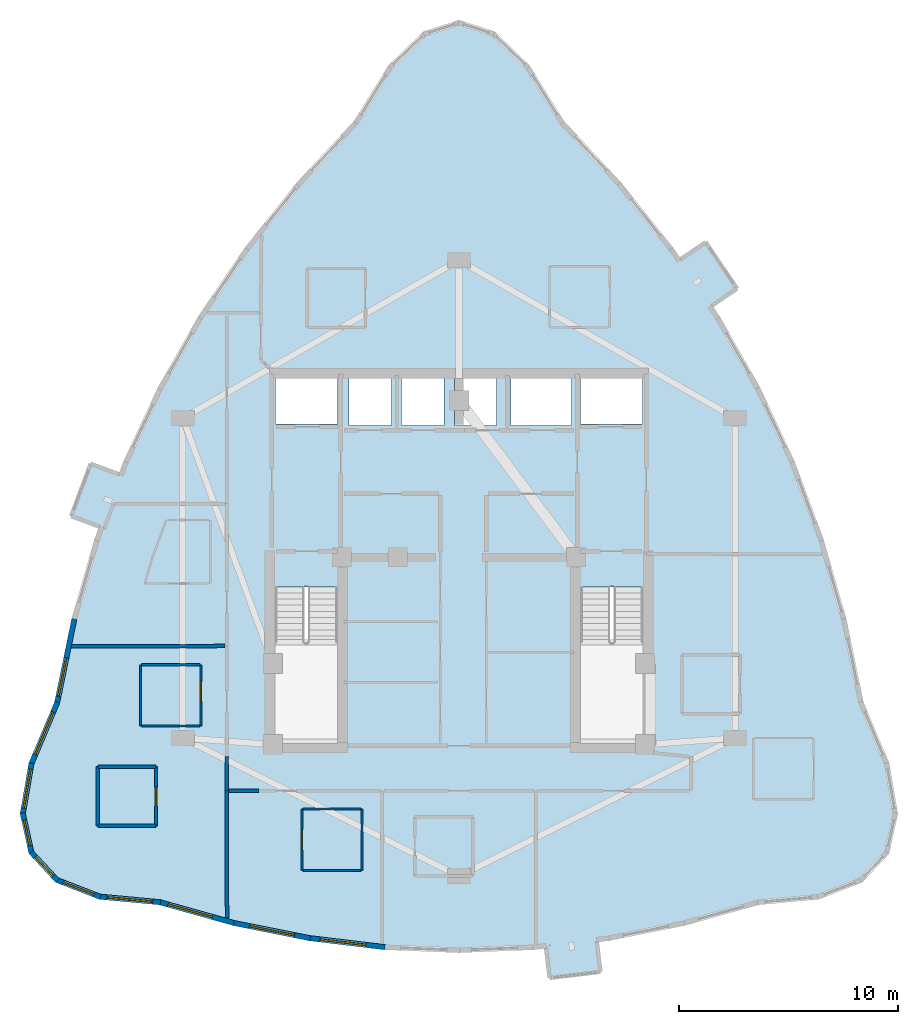
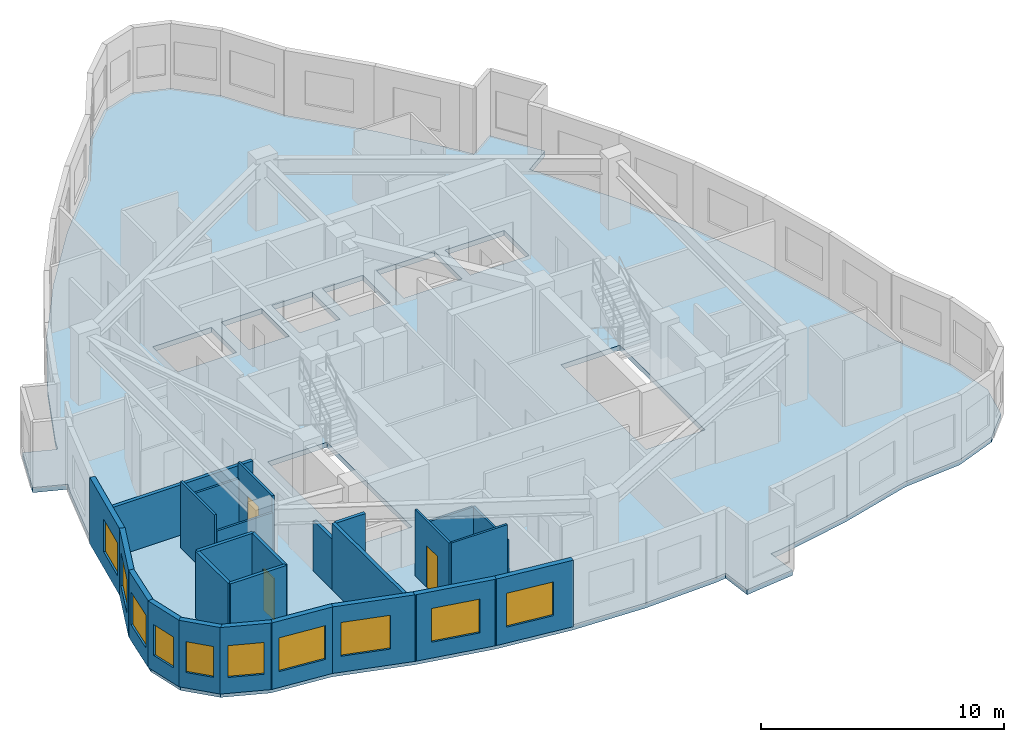
# One storey, part 3 of 9: 26 walls, 10 windows, 3 doors, 1 slab, 13 openings.
"""IFC4 building model written with IfcOpenShell, lengths in metres."""

import ifcopenshell
import ifcopenshell.guid

model = None  # the IFC model being written
_history = None  # IfcOwnerHistory: only IFC2X3 demands one
_inside = {}  # id of a spatial element -> (the spatial element, [elements in it])
_under = {}  # id of a project, library or spatial element -> (it, [spatial elements below it])
_declared = {}  # id of a project -> (the project, [libraries it declares])
_typed = {}  # id of a type object -> (the type object, [elements of that type])
_made_of = {}  # id of a material, layer set ... -> (it, [elements and type objects made of it])


def new_model(schema):
    """Start an empty IFC model of exactly this schema.

    Asked for "IFC4X3", IfcOpenShell would pick the latest addendum, in which some entities
    have other attributes; the version numbers below select the first issue.
    IFC2X3 requires an IfcOwnerHistory on every rooted entity: one is made here for all.
    """
    global model, _history
    if schema == "IFC4X3":
        model = ifcopenshell.file(schema_version=(4, 3, 0, 0))
    else:
        model = ifcopenshell.file(schema=schema)
    _inside.clear()
    _under.clear()
    _declared.clear()
    _typed.clear()
    _made_of.clear()
    _history = None
    if model.schema == "IFC2X3":
        org = make("IfcOrganization", Name="unknown")
        user = make(
            "IfcPersonAndOrganization",
            ThePerson=make("IfcPerson", FamilyName="unknown"),
            TheOrganization=org,
        )
        app = make(
            "IfcApplication",
            ApplicationDeveloper=org,
            Version="unknown",
            ApplicationFullName="unknown",
            ApplicationIdentifier="unknown",
        )
        _history = make(
            "IfcOwnerHistory",
            OwningUser=user,
            OwningApplication=app,
            ChangeAction="ADDED",
            CreationDate=0,
        )
    return model


def make(cls, **values):
    """One entity of the class cls with the attributes given. An attribute that is None is left unset."""
    return model.create_entity(
        cls, **{name: value for name, value in values.items() if value is not None}
    )


def rooted(cls, **values):
    """An entity with a GlobalId (a new one), such as an element, a storey or a relation."""
    return make(cls, GlobalId=ifcopenshell.guid.new(), OwnerHistory=_history, **values)


def si_unit(unit_type, name, prefix=None):
    """IfcSIUnit, for example si_unit("LENGTHUNIT", "METRE", prefix="MILLI")."""
    return make("IfcSIUnit", UnitType=unit_type, Prefix=prefix, Name=name)


def assignment(units):
    """IfcUnitAssignment: the units of a project."""
    return None if units is None else make("IfcUnitAssignment", Units=units)


def point(xyz):
    """IfcCartesianPoint."""
    return None if xyz is None else make("IfcCartesianPoint", Coordinates=xyz)


def direction(xyz):
    """IfcDirection."""
    return None if xyz is None else make("IfcDirection", DirectionRatios=xyz)


def frame(location, z_axis=None, x_axis=None):
    """IfcAxis2Placement3D, a coordinate frame: its origin and axes. An axis left out is left unset."""
    return make(
        "IfcAxis2Placement3D",
        Location=point(location),
        Axis=direction(z_axis),
        RefDirection=direction(x_axis),
    )


def frame_2d(location, x_axis=None):
    """IfcAxis2Placement2D, a coordinate frame in the plane: its origin and x axis."""
    return make(
        "IfcAxis2Placement2D", Location=point(location), RefDirection=direction(x_axis)
    )


def origin():
    """The frame at (0, 0, 0) with its axes left unset."""
    return frame((0.0, 0.0, 0.0))


def place(relative_to, where):
    """IfcLocalPlacement: puts the frame where relative to a parent placement (None: the world)."""
    return make(
        "IfcLocalPlacement", PlacementRelTo=relative_to, RelativePlacement=where
    )


def context(
    kind, dimensions, precision=None, world=None, true_north=None, identifier=None
):
    """IfcGeometricRepresentationContext, for example the 3D "Model" context."""
    return make(
        "IfcGeometricRepresentationContext",
        ContextIdentifier=identifier,
        ContextType=kind,
        CoordinateSpaceDimension=dimensions,
        Precision=precision,
        WorldCoordinateSystem=world,
        TrueNorth=true_north,
    )


def subcontext(parent, identifier, kind, view, scale=None):
    """IfcGeometricRepresentationSubContext, for example "Body" below "Model"."""
    return make(
        "IfcGeometricRepresentationSubContext",
        ContextIdentifier=identifier,
        ContextType=kind,
        ParentContext=parent,
        TargetScale=scale,
        TargetView=view,
    )


def project(units=None, contexts=None):
    """IfcProject with its units and contexts."""
    return rooted(
        "IfcProject",
        Name="project",
        RepresentationContexts=contexts,
        UnitsInContext=assignment(units),
    )


def spatial(cls, under=None, at=None, **own):
    """A site, building, storey or space (cls), placed at a placement, below another one or the project."""
    s = rooted(cls, ObjectPlacement=at, **own)
    if under is not None:
        _under.setdefault(under.id(), (under, []))[1].append(s)
    return s


def polyline(points):
    """IfcPolyline through the points."""
    return make("IfcPolyline", Points=[point(p) for p in points])


def profile(cls, at=None, kind="AREA", **sizes):
    """A parametric profile (cls). Its sizes go by their IFC names, for example OverallWidth=200.0."""
    return make(cls, ProfileType=kind, Position=at, **sizes)


def rectangle(**sizes):
    """IfcRectangleProfileDef."""
    return profile("IfcRectangleProfileDef", **sizes)


def outline(outer, holes=None, kind="AREA"):
    """IfcArbitraryClosedProfileDef: a profile drawn as a closed curve; with holes, ...WithVoids."""
    if holes is None:
        return make("IfcArbitraryClosedProfileDef", ProfileType=kind, OuterCurve=outer)
    return make(
        "IfcArbitraryProfileDefWithVoids",
        ProfileType=kind,
        OuterCurve=outer,
        InnerCurves=holes,
    )


def extrude(swept, where, along, depth):
    """IfcExtrudedAreaSolid: the profile swept, set in the frame where, extruded along a direction by depth."""
    return make(
        "IfcExtrudedAreaSolid",
        SweptArea=swept,
        Position=where,
        ExtrudedDirection=direction(along),
        Depth=depth,
    )


def shape(context_of_items, identifier, shape_type, items):
    """IfcShapeRepresentation: the items that make up one representation, for example the "Body"."""
    return make(
        "IfcShapeRepresentation",
        ContextOfItems=context_of_items,
        RepresentationIdentifier=identifier,
        RepresentationType=shape_type,
        Items=items,
    )


def material(Name=None, Category=None):
    """IfcMaterial."""
    return make("IfcMaterial", Name=Name, Category=Category)


def layer(
    of_material, thickness, ventilated=None, Name=None, Category=None, Priority=None
):
    """IfcMaterialLayer: one layer of a wall or slab, of a material (None: an air gap)."""
    return make(
        "IfcMaterialLayer",
        Material=of_material,
        LayerThickness=thickness,
        IsVentilated=ventilated,
        Name=Name,
        Category=Category,
        Priority=Priority,
    )


def layer_set(layers, Name=None):
    """IfcMaterialLayerSet."""
    return make("IfcMaterialLayerSet", MaterialLayers=layers, LayerSetName=Name)


def made_of(thing, what):
    """Note that an element or type object is made of a material, layer set ...; save() writes the relation."""
    if what is not None:
        _made_of.setdefault(what.id(), (what, []))[1].append(thing)
    return thing


def type_object(cls, material=None, **own):
    """A type object (cls), such as IfcWallType, which elements share."""
    return made_of(rooted(cls, **own), material)


def element(
    cls,
    number,
    at=None,
    inside=None,
    cuts=None,
    type_object=None,
    material=None,
    context=None,
    identifier="Body",
    shape_type=None,
    held_by="IfcProductDefinitionShape",
    body=None,
    shapes=None,
    **own,
):
    """One element of the class cls, such as IfcWall. Its Tag is "e" and its number.

    at: its placement. inside: the storey or other place that contains it. cuts: it is an
    opening in that element (IfcRelVoidsElement). A single representation is given by context,
    identifier, shape_type and body (its items); several are given by shapes. held_by: the class
    of the entity that holds the representations. save() writes the other relations.
    """
    e = rooted(cls, Tag="e%d" % number, ObjectPlacement=at, **own)
    if body is not None:
        shapes = [shape(context, identifier, shape_type, body)]
    if shapes is not None:
        e.Representation = make(held_by, Representations=shapes)
    if inside is not None:
        _inside.setdefault(inside.id(), (inside, []))[1].append(e)
    if cuts is not None:
        rooted(
            "IfcRelVoidsElement", RelatingBuildingElement=cuts, RelatedOpeningElement=e
        )
    if type_object is not None:
        _typed.setdefault(type_object.id(), (type_object, []))[1].append(e)
    return made_of(e, material)


def fill(opening, filler):
    """IfcRelFillsElement: the door or window that sits in an opening."""
    return rooted(
        "IfcRelFillsElement",
        RelatingOpeningElement=opening,
        RelatedBuildingElement=filler,
    )


def aggregate(whole, parts):
    """IfcRelAggregates: a whole, such as a stair, and the parts it consists of."""
    return rooted("IfcRelAggregates", RelatingObject=whole, RelatedObjects=parts)


def save(model, path):
    """Write the relations noted so far, then the file.

    IfcRelAggregates (storeys below a building ...), IfcRelContainedInSpatialStructure (elements
    in a storey), IfcRelDefinesByType, IfcRelAssociatesMaterial and IfcRelDeclares: one each for
    every whole, place, type object, material and project.
    """
    for whole, parts in _under.values():
        aggregate(whole, parts)
    for where, things in _inside.values():
        rooted(
            "IfcRelContainedInSpatialStructure",
            RelatedElements=things,
            RelatingStructure=where,
        )
    for kind, things in _typed.values():
        rooted("IfcRelDefinesByType", RelatedObjects=things, RelatingType=kind)
    for what, things in _made_of.values():
        rooted("IfcRelAssociatesMaterial", RelatedObjects=things, RelatingMaterial=what)
    for by, libraries in _declared.values():
        rooted("IfcRelDeclares", RelatingContext=by, RelatedDefinitions=libraries)
    model.write(path)


model = new_model("IFC4")

# Units and contexts
model_context = context("Model", 3, precision=1e-05, world=origin(), true_north=direction((0.0, 1.0)))
body_context = subcontext(model_context, "Body", "Model", "MODEL_VIEW")
ifc_project = project(units=[si_unit("LENGTHUNIT", "METRE"), si_unit("AREAUNIT", "SQUARE_METRE"), si_unit("VOLUMEUNIT", "CUBIC_METRE"), si_unit("PLANEANGLEUNIT", "RADIAN"), si_unit("MASSUNIT", "GRAM", prefix="KILO")], contexts=[model_context])

# Site, building, storey
site_placement = place(None, origin())
site = spatial("IfcSite", under=ifc_project, at=site_placement, CompositionType="ELEMENT")
building_placement = place(site_placement, origin())
building = spatial("IfcBuilding", under=site, at=building_placement, Name="Miruveldt Soraemaru", CompositionType="ELEMENT")
storey_placement = place(building_placement, frame((0.0, 0.0, 241.199951171875)))
storey = spatial("IfcBuildingStorey", under=building, at=storey_placement, Name="L66", CompositionType="ELEMENT", Elevation=241.199951171875)

# Slab
ifc_material_1 = material(Name="Concrete C40/50 (40 MPa)", Category="concrete")
ifc_layer_1 = layer(ifc_material_1, 0.2548828125, Name="Concrete C40/50 (40 MPa)", Category="concrete")
ifc_layer_set_1 = layer_set([ifc_layer_1], Name="Concrete C40/50 (40 MPa)")
slab_type = type_object("IfcSlabType", Name="SLAB-RES3-255", PredefinedType="FLOOR", material=ifc_layer_set_1)
slab_placement = place(storey_placement, frame((0.0, 0.0, -0.2548828125)))
element("IfcSlab", 1, at=slab_placement, inside=storey, type_object=slab_type, Name="L66 Structural Floor Slab", PredefinedType="FLOOR", context=body_context, shape_type="SweptSolid", body=[
    extrude(outline(polyline([(48.13525390625, 24.852294921875), (47.958984375, 26.32177734375), (49.119140625, 26.461181640625), (47.412841796875, 26.25634765625), (44.0, 26.119873046875), (40.587158203125, 26.25634765625), (37.17431640625, 26.665771484375), (33.761474609375, 27.348388671875), (30.3486328125, 28.303955078125), (27.611328125, 28.556884765625), (25.65625, 29.3154296875), (24.483154296875, 30.57958984375), (24.092041015625, 32.349853515625), (24.483154296875, 34.62548828125), (25.65625, 37.406982421875), (26.435791015625, 41.195068359375), (27.47998046875, 44.8466796875), (27.689453125, 45.40869140625), (26.302490234375, 45.92529296875), (27.193115234375, 48.31591796875), (28.579833984375, 47.79931640625), (28.134765625, 46.60400390625), (28.789306640625, 48.361572265625), (30.36328125, 51.739990234375), (32.2021484375, 54.982177734375), (34.305908203125, 58.087646484375), (36.67431640625, 61.056640625), (39.3076171875, 63.88916015625), (40.87158203125, 66.417724609375), (42.435791015625, 67.934814453125), (44.0, 68.4404296875), (45.564208984375, 67.934814453125), (47.12841796875, 66.417724609375), (48.6923828125, 63.88916015625), (51.32568359375, 61.056640625), (53.694091796875, 58.087646484375), (54.74609375, 56.534912109375), (54.03076171875, 57.5908203125), (55.256103515625, 58.4208984375), (56.686767578125, 56.308837890625), (55.46142578125, 55.478759765625), (55.7978515625, 54.982177734375), (57.63671875, 51.739990234375), (59.210693359375, 48.361572265625), (60.52001953125, 44.8466796875), (61.564208984375, 41.195068359375), (62.34375, 37.406982421875), (63.516845703125, 34.62548828125), (63.907958984375, 32.349853515625), (63.516845703125, 30.57958984375), (62.34375, 29.3154296875), (60.388671875, 28.556884765625), (57.6513671875, 28.303955078125), (54.238525390625, 27.348388671875), (50.82568359375, 26.665771484375), (50.279296875, 26.600341796875), (50.455810546875, 25.130859375), (48.13525390625, 24.852294921875)]), holes=[polyline([(35.614990234375, 35.6650390625), (38.43505859375, 35.6650390625), (38.43505859375, 42.68505859375), (35.614990234375, 42.68505859375), (35.614990234375, 35.6650390625)]), polyline([(49.56494140625, 35.6650390625), (52.385009765625, 35.6650390625), (52.385009765625, 42.68505859375), (49.56494140625, 42.68505859375), (49.56494140625, 35.6650390625)]), polyline([(38.445068359375, 50.135009765625), (38.445068359375, 52.205078125), (35.635009765625, 52.205078125), (35.635009765625, 50.135009765625), (38.445068359375, 50.135009765625)]), polyline([(52.364990234375, 50.135009765625), (52.364990234375, 52.205078125), (49.554931640625, 52.205078125), (49.554931640625, 50.135009765625), (52.364990234375, 50.135009765625)]), polyline([(40.9150390625, 50.06494140625), (40.9150390625, 52.3349609375), (38.985107421875, 52.3349609375), (38.985107421875, 50.06494140625), (40.9150390625, 50.06494140625)]), polyline([(43.31494140625, 50.06494140625), (43.31494140625, 52.3349609375), (41.385009765625, 52.3349609375), (41.385009765625, 50.06494140625), (43.31494140625, 50.06494140625)]), polyline([(45.715087890625, 50.06494140625), (45.715087890625, 52.3349609375), (43.784912109375, 52.3349609375), (43.784912109375, 50.06494140625), (45.715087890625, 50.06494140625)]), polyline([(49.135009765625, 50.06494140625), (49.135009765625, 52.3349609375), (46.364990234375, 52.3349609375), (46.364990234375, 50.06494140625), (49.135009765625, 50.06494140625)])]), origin(), (0.0, 0.0, 1.0), 0.2548828125),
])

# Wall, opening, window
ifc_material_2 = material(Name="Precast concrete C45/55 (45 MPa)", Category="concrete")
ifc_layer_2 = layer(ifc_material_2, 0.239990234375, Name="Precast concrete C45/55 (45 MPa)", Category="concrete")
ifc_layer_set_2 = layer_set([ifc_layer_2], Name="Precast concrete C45/55 (45 MPa)")
wall_type_1 = type_object("IfcWallType", Name="WALL-EXT-PC240", PredefinedType="SOLIDWALL", material=ifc_layer_set_2)
wall_1_placement = place(storey_placement, frame((26.44287109375, 41.229248046875, 0.0), z_axis=(0.0, 0.0, 1.0), x_axis=(-0.201574193265, -0.979473248542, 0.0)))
wall_1 = element("IfcWall", 2, at=wall_1_placement, inside=storey, type_object=wall_type_1, Name="L66 Precast Concrete Facade Wall 14", PredefinedType="SOLIDWALL", context=body_context, shape_type="SweptSolid", body=[
    extrude(rectangle(XDim=3.9375, YDim=0.239990234375, at=frame_2d((1.96875, 0.0))), origin(), (0.0, 0.0, 1.0), 3.344970703125),
])
opening_1_placement = place(wall_1_placement, frame((1.80810546875, 0.0, 0.800048828125)))
opening_1 = element("IfcOpeningElement", 3, at=opening_1_placement, cuts=wall_1, Name="Opening WN-2", PredefinedType="OPENING", context=body_context, shape_type="SweptSolid", body=[
    extrude(rectangle(XDim=1.800048828125, YDim=1.64990234375, at=frame_2d((0.89990234375, 0.824951171875))), frame((0.0, 0.1298828125, 0.0), z_axis=(0.0, -1.0, 0.0), x_axis=(1.0, 0.0, 0.0)), (0.0, 0.0, 1.0), 0.260009765625),
])
ifc_material_3 = material(Name="Triple low-e insulated glazing", Category="glass")
window_type_1 = type_object("IfcWindowType", Name="WIN-PUNCH-1800x1650", PartitioningType="SINGLE_PANEL", PredefinedType="WINDOW", material=ifc_material_3)
window_1_placement = place(opening_1_placement, origin())
window_1 = element("IfcWindow", 4, at=window_1_placement, inside=storey, type_object=window_type_1, Name="L66 Punched Triple-Glazed Window 14.1", OverallHeight=1.64990234375, OverallWidth=1.800048828125, PartitioningType="SINGLE_PANEL", PredefinedType="WINDOW", context=body_context, shape_type="SweptSolid", body=[
    extrude(rectangle(XDim=1.800048828125, YDim=1.64990234375, at=frame_2d((0.89990234375, 0.824951171875))), frame((0.0, 0.030029296875, 0.0), z_axis=(0.0, -1.0, 0.0), x_axis=(1.0, 0.0, 0.0)), (0.0, 0.0, 1.0), 0.06005859375),
])
fill(opening_1, window_1)

wall_2_placement = place(storey_placement, frame((25.669921875, 37.439208984375, 0.0), z_axis=(0.0, 0.0, 1.0), x_axis=(-0.388647035021, -0.921386716949, 0.0)))
wall_2 = element("IfcWall", 5, at=wall_2_placement, inside=storey, type_object=wall_type_1, Name="L66 Precast Concrete Facade Wall 15", PredefinedType="SOLIDWALL", context=body_context, shape_type="SweptSolid", body=[
    extrude(rectangle(XDim=3.0888671875, YDim=0.239990234375, at=frame_2d((1.54443359375, 0.0))), origin(), (0.0, 0.0, 1.0), 3.344970703125),
])
opening_2_placement = place(wall_2_placement, frame((0.493896484375, 0.0, 0.800048828125)))
opening_2 = element("IfcOpeningElement", 6, at=opening_2_placement, cuts=wall_2, Name="Opening WN-1", PredefinedType="OPENING", context=body_context, shape_type="SweptSolid", body=[
    extrude(rectangle(XDim=2.10009765625, YDim=1.699951171875, at=frame_2d((1.050048828125, 0.85009765625))), frame((0.0, 0.1298828125, 0.0), z_axis=(0.0, -1.0, 0.0), x_axis=(1.0, 0.0, 0.0)), (0.0, 0.0, 1.0), 0.260009765625),
])
window_type_2 = type_object("IfcWindowType", Name="WIN-PUNCH-2100x1700", PartitioningType="SINGLE_PANEL", PredefinedType="WINDOW", material=ifc_material_3)
window_2_placement = place(opening_2_placement, origin())
window_2 = element("IfcWindow", 7, at=window_2_placement, inside=storey, type_object=window_type_2, Name="L66 Punched Triple-Glazed Window 15.1", OverallHeight=1.699951171875, OverallWidth=2.10009765625, PartitioningType="SINGLE_PANEL", PredefinedType="WINDOW", context=body_context, shape_type="SweptSolid", body=[
    extrude(rectangle(XDim=2.10009765625, YDim=1.699951171875, at=frame_2d((1.050048828125, 0.85009765625))), frame((0.0, 0.030029296875, 0.0), z_axis=(0.0, -1.0, 0.0), x_axis=(1.0, 0.0, 0.0)), (0.0, 0.0, 1.0), 0.06005859375),
])
fill(opening_2, window_2)

wall_3_placement = place(storey_placement, frame((24.489013671875, 34.659912109375, 0.0), z_axis=(0.0, 0.0, 1.0), x_axis=(-0.16932268842, -0.985560666416, 0.0)))
wall_3 = element("IfcWall", 8, at=wall_3_placement, inside=storey, type_object=wall_type_1, Name="L66 Precast Concrete Facade Wall 16", PredefinedType="SOLIDWALL", context=body_context, shape_type="SweptSolid", body=[
    extrude(rectangle(XDim=2.379150390625, YDim=0.239990234375, at=frame_2d((1.189453125, 0.0))), origin(), (0.0, 0.0, 1.0), 3.344970703125),
])
opening_3_placement = place(wall_3_placement, frame((0.2890625, 0.0, 0.800048828125)))
opening_3 = element("IfcOpeningElement", 9, at=opening_3_placement, cuts=wall_3, Name="Opening WN-2", PredefinedType="OPENING", context=body_context, shape_type="SweptSolid", body=[
    extrude(rectangle(XDim=1.800048828125, YDim=1.64990234375, at=frame_2d((0.89990234375, 0.824951171875))), frame((0.0, 0.1298828125, 0.0), z_axis=(0.0, -1.0, 0.0), x_axis=(1.0, 0.0, 0.0)), (0.0, 0.0, 1.0), 0.260009765625),
])
window_3_placement = place(opening_3_placement, origin())
window_3 = element("IfcWindow", 10, at=window_3_placement, inside=storey, type_object=window_type_1, Name="L66 Punched Triple-Glazed Window 16.1", OverallHeight=1.64990234375, OverallWidth=1.800048828125, PartitioningType="SINGLE_PANEL", PredefinedType="WINDOW", context=body_context, shape_type="SweptSolid", body=[
    extrude(rectangle(XDim=1.800048828125, YDim=1.64990234375, at=frame_2d((0.89990234375, 0.824951171875))), frame((0.0, 0.030029296875, 0.0), z_axis=(0.0, -1.0, 0.0), x_axis=(1.0, 0.0, 0.0)), (0.0, 0.0, 1.0), 0.06005859375),
])
fill(opening_3, window_3)

wall_4_placement = place(storey_placement, frame((24.084716796875, 32.384033203125, 0.0), z_axis=(0.0, 0.0, 1.0), x_axis=(0.215502390858, -0.976503312608, 0.0)))
wall_4 = element("IfcWall", 11, at=wall_4_placement, inside=storey, type_object=wall_type_1, Name="L66 Precast Concrete Facade Wall 17", PredefinedType="SOLIDWALL", context=body_context, shape_type="SweptSolid", body=[
    extrude(rectangle(XDim=1.8828125, YDim=0.239990234375, at=frame_2d((0.94140625, 0.0))), origin(), (0.0, 0.0, 1.0), 3.344970703125),
])
opening_4_placement = place(wall_4_placement, frame((0.342041015625, 0.0, 0.780029296875)))
opening_4 = element("IfcOpeningElement", 12, at=opening_4_placement, cuts=wall_4, Name="Opening WN-4", PredefinedType="OPENING", context=body_context, shape_type="SweptSolid", body=[
    extrude(rectangle(XDim=1.199951171875, YDim=1.550048828125, at=frame_2d((0.60009765625, 0.77490234375))), frame((0.0, 0.1298828125, 0.0), z_axis=(0.0, -1.0, 0.0), x_axis=(1.0, 0.0, 0.0)), (0.0, 0.0, 1.0), 0.260009765625),
])
window_type_3 = type_object("IfcWindowType", Name="WIN-PUNCH-1200x1550", PartitioningType="SINGLE_PANEL", PredefinedType="WINDOW", material=ifc_material_3)
window_4_placement = place(opening_4_placement, origin())
window_4 = element("IfcWindow", 13, at=window_4_placement, inside=storey, type_object=window_type_3, Name="L66 Punched Triple-Glazed Window 17.1", OverallHeight=1.550048828125, OverallWidth=1.199951171875, PartitioningType="SINGLE_PANEL", PredefinedType="WINDOW", context=body_context, shape_type="SweptSolid", body=[
    extrude(rectangle(XDim=1.199951171875, YDim=1.550048828125, at=frame_2d((0.60009765625, 0.77490234375))), frame((0.0, 0.030029296875, 0.0), z_axis=(0.0, -1.0, 0.0), x_axis=(1.0, 0.0, 0.0)), (0.0, 0.0, 1.0), 0.06005859375),
])
fill(opening_4, window_4)

wall_5_placement = place(storey_placement, frame((24.459228515625, 30.60546875, 0.0), z_axis=(0.0, 0.0, 1.0), x_axis=(0.680153639161, -0.733069592287, 0.0)))
wall_5 = element("IfcWall", 14, at=wall_5_placement, inside=storey, type_object=wall_type_1, Name="L66 Precast Concrete Facade Wall 18", PredefinedType="SOLIDWALL", context=body_context, shape_type="SweptSolid", body=[
    extrude(rectangle(XDim=1.794677734375, YDim=0.239990234375, at=frame_2d((0.8974609375, 0.0))), origin(), (0.0, 0.0, 1.0), 3.344970703125),
])
opening_5_placement = place(wall_5_placement, frame((0.297119140625, 0.0, 0.780029296875)))
opening_5 = element("IfcOpeningElement", 15, at=opening_5_placement, cuts=wall_5, Name="Opening WN-4", PredefinedType="OPENING", context=body_context, shape_type="SweptSolid", body=[
    extrude(rectangle(XDim=1.199951171875, YDim=1.550048828125, at=frame_2d((0.60009765625, 0.77490234375))), frame((0.0, 0.1298828125, 0.0), z_axis=(0.0, -1.0, 0.0), x_axis=(1.0, 0.0, 0.0)), (0.0, 0.0, 1.0), 0.260009765625),
])
window_5_placement = place(opening_5_placement, origin())
window_5 = element("IfcWindow", 16, at=window_5_placement, inside=storey, type_object=window_type_3, Name="L66 Punched Triple-Glazed Window 18.1", OverallHeight=1.550048828125, OverallWidth=1.199951171875, PartitioningType="SINGLE_PANEL", PredefinedType="WINDOW", context=body_context, shape_type="SweptSolid", body=[
    extrude(rectangle(XDim=1.199951171875, YDim=1.550048828125, at=frame_2d((0.60009765625, 0.77490234375))), frame((0.0, 0.030029296875, 0.0), z_axis=(0.0, -1.0, 0.0), x_axis=(1.0, 0.0, 0.0)), (0.0, 0.0, 1.0), 0.06005859375),
])
fill(opening_5, window_5)

wall_6_placement = place(storey_placement, frame((25.62353515625, 29.328125, 0.0), z_axis=(0.0, 0.0, 1.0), x_axis=(0.932287671793, -0.361717703495, 0.0)))
wall_6 = element("IfcWall", 17, at=wall_6_placement, inside=storey, type_object=wall_type_1, Name="L66 Precast Concrete Facade Wall 19", PredefinedType="SOLIDWALL", context=body_context, shape_type="SweptSolid", body=[
    extrude(rectangle(XDim=2.167236328125, YDim=0.239990234375, at=frame_2d((1.08349609375, 0.0))), origin(), (0.0, 0.0, 1.0), 3.344970703125),
])
opening_6_placement = place(wall_6_placement, frame((0.333984375, 0.0, 0.800048828125)))
opening_6 = element("IfcOpeningElement", 18, at=opening_6_placement, cuts=wall_6, Name="Opening WN-3", PredefinedType="OPENING", context=body_context, shape_type="SweptSolid", body=[
    extrude(rectangle(XDim=1.5, YDim=1.60009765625, at=frame_2d((0.75, 0.800048828125))), frame((0.0, 0.1298828125, 0.0), z_axis=(0.0, -1.0, 0.0), x_axis=(1.0, 0.0, 0.0)), (0.0, 0.0, 1.0), 0.260009765625),
])
window_type_4 = type_object("IfcWindowType", Name="WIN-PUNCH-1500x1600", PartitioningType="SINGLE_PANEL", PredefinedType="WINDOW", material=ifc_material_3)
window_6_placement = place(opening_6_placement, origin())
window_6 = element("IfcWindow", 19, at=window_6_placement, inside=storey, type_object=window_type_4, Name="L66 Punched Triple-Glazed Window 19.1", OverallHeight=1.60009765625, OverallWidth=1.5, PartitioningType="SINGLE_PANEL", PredefinedType="WINDOW", context=body_context, shape_type="SweptSolid", body=[
    extrude(rectangle(XDim=1.5, YDim=1.60009765625, at=frame_2d((0.75, 0.800048828125))), frame((0.0, 0.030029296875, 0.0), z_axis=(0.0, -1.0, 0.0), x_axis=(1.0, 0.0, 0.0)), (0.0, 0.0, 1.0), 0.06005859375),
])
fill(opening_6, window_6)

wall_7_placement = place(storey_placement, frame((27.576416015625, 28.56005859375, 0.0), z_axis=(0.0, 0.0, 1.0), x_axis=(0.995761555679, -0.09197241017, 0.0)))
wall_7 = element("IfcWall", 20, at=wall_7_placement, inside=storey, type_object=wall_type_1, Name="L66 Precast Concrete Facade Wall 20", PredefinedType="SOLIDWALL", context=body_context, shape_type="SweptSolid", body=[
    extrude(rectangle(XDim=2.819091796875, YDim=0.239990234375, at=frame_2d((1.40966796875, 0.0))), origin(), (0.0, 0.0, 1.0), 3.344970703125),
])
opening_7_placement = place(wall_7_placement, frame((0.35888671875, 0.0, 0.800048828125)))
opening_7 = element("IfcOpeningElement", 21, at=opening_7_placement, cuts=wall_7, Name="Opening WN-1", PredefinedType="OPENING", context=body_context, shape_type="SweptSolid", body=[
    extrude(rectangle(XDim=2.10009765625, YDim=1.699951171875, at=frame_2d((1.050048828125, 0.85009765625))), frame((0.0, 0.1298828125, 0.0), z_axis=(0.0, -1.0, 0.0), x_axis=(1.0, 0.0, 0.0)), (0.0, 0.0, 1.0), 0.260009765625),
])
window_7_placement = place(opening_7_placement, origin())
window_7 = element("IfcWindow", 22, at=window_7_placement, inside=storey, type_object=window_type_2, Name="L66 Punched Triple-Glazed Window 20.1", OverallHeight=1.699951171875, OverallWidth=2.10009765625, PartitioningType="SINGLE_PANEL", PredefinedType="WINDOW", context=body_context, shape_type="SweptSolid", body=[
    extrude(rectangle(XDim=2.10009765625, YDim=1.699951171875, at=frame_2d((1.050048828125, 0.85009765625))), frame((0.0, 0.030029296875, 0.0), z_axis=(0.0, -1.0, 0.0), x_axis=(1.0, 0.0, 0.0)), (0.0, 0.0, 1.0), 0.06005859375),
])
fill(opening_7, window_7)

wall_8_placement = place(storey_placement, frame((30.31494140625, 28.3134765625, 0.0), z_axis=(0.0, 0.0, 1.0), x_axis=(0.9629710353, -0.269604868599, 0.0)))
wall_8 = element("IfcWall", 23, at=wall_8_placement, inside=storey, type_object=wall_type_1, Name="L66 Precast Concrete Facade Wall 21", PredefinedType="SOLIDWALL", context=body_context, shape_type="SweptSolid", body=[
    extrude(rectangle(XDim=3.614013671875, YDim=0.239990234375, at=frame_2d((1.80712890625, 0.0))), origin(), (0.0, 0.0, 1.0), 3.344970703125),
])
opening_8_placement = place(wall_8_placement, frame((0.4208984375, 0.0, 0.800048828125)))
opening_8 = element("IfcOpeningElement", 24, at=opening_8_placement, cuts=wall_8, Name="Opening WN-1", PredefinedType="OPENING", context=body_context, shape_type="SweptSolid", body=[
    extrude(rectangle(XDim=2.10009765625, YDim=1.699951171875, at=frame_2d((1.050048828125, 0.85009765625))), frame((0.0, 0.1298828125, 0.0), z_axis=(0.0, -1.0, 0.0), x_axis=(1.0, 0.0, 0.0)), (0.0, 0.0, 1.0), 0.260009765625),
])
window_8_placement = place(opening_8_placement, origin())
window_8 = element("IfcWindow", 25, at=window_8_placement, inside=storey, type_object=window_type_2, Name="L66 Punched Triple-Glazed Window 21.1", OverallHeight=1.699951171875, OverallWidth=2.10009765625, PartitioningType="SINGLE_PANEL", PredefinedType="WINDOW", context=body_context, shape_type="SweptSolid", body=[
    extrude(rectangle(XDim=2.10009765625, YDim=1.699951171875, at=frame_2d((1.050048828125, 0.85009765625))), frame((0.0, 0.030029296875, 0.0), z_axis=(0.0, -1.0, 0.0), x_axis=(1.0, 0.0, 0.0)), (0.0, 0.0, 1.0), 0.06005859375),
])
fill(opening_8, window_8)

wall_9_placement = place(storey_placement, frame((33.727294921875, 27.355224609375, 0.0), z_axis=(0.0, 0.0, 1.0), x_axis=(0.980580675691, -0.196116135138, 0.0)))
wall_9 = element("IfcWall", 26, at=wall_9_placement, inside=storey, type_object=wall_type_1, Name="L66 Precast Concrete Facade Wall 22", PredefinedType="SOLIDWALL", context=body_context, shape_type="SweptSolid", body=[
    extrude(rectangle(XDim=3.55029296875, YDim=0.239990234375, at=frame_2d((1.775146484375, 0.0))), origin(), (0.0, 0.0, 1.0), 3.344970703125),
])
opening_9_placement = place(wall_9_placement, frame((0.72509765625, 0.0, 0.800048828125)))
opening_9 = element("IfcOpeningElement", 27, at=opening_9_placement, cuts=wall_9, Name="Opening WN-1", PredefinedType="OPENING", context=body_context, shape_type="SweptSolid", body=[
    extrude(rectangle(XDim=2.10009765625, YDim=1.699951171875, at=frame_2d((1.050048828125, 0.85009765625))), frame((0.0, 0.1298828125, 0.0), z_axis=(0.0, -1.0, 0.0), x_axis=(1.0, 0.0, 0.0)), (0.0, 0.0, 1.0), 0.260009765625),
])
window_9_placement = place(opening_9_placement, origin())
window_9 = element("IfcWindow", 28, at=window_9_placement, inside=storey, type_object=window_type_2, Name="L66 Punched Triple-Glazed Window 22.1", OverallHeight=1.699951171875, OverallWidth=2.10009765625, PartitioningType="SINGLE_PANEL", PredefinedType="WINDOW", context=body_context, shape_type="SweptSolid", body=[
    extrude(rectangle(XDim=2.10009765625, YDim=1.699951171875, at=frame_2d((1.050048828125, 0.85009765625))), frame((0.0, 0.030029296875, 0.0), z_axis=(0.0, -1.0, 0.0), x_axis=(1.0, 0.0, 0.0)), (0.0, 0.0, 1.0), 0.06005859375),
])
fill(opening_9, window_9)

wall_10_placement = place(storey_placement, frame((37.1396484375, 26.669921875, 0.0), z_axis=(0.0, 0.0, 1.0), x_axis=(0.992882436738, -0.119098559258, 0.0)))
wall_10 = element("IfcWall", 29, at=wall_10_placement, inside=storey, type_object=wall_type_1, Name="L66 Precast Concrete Facade Wall 23", PredefinedType="SOLIDWALL", context=body_context, shape_type="SweptSolid", body=[
    extrude(rectangle(XDim=3.50732421875, YDim=0.239990234375, at=frame_2d((1.753662109375, 0.0))), origin(), (0.0, 0.0, 1.0), 3.344970703125),
])
opening_10_placement = place(wall_10_placement, frame((0.51806640625, 0.0, 0.800048828125)))
opening_10 = element("IfcOpeningElement", 30, at=opening_10_placement, cuts=wall_10, Name="Opening WN-1", PredefinedType="OPENING", context=body_context, shape_type="SweptSolid", body=[
    extrude(rectangle(XDim=2.10009765625, YDim=1.699951171875, at=frame_2d((1.050048828125, 0.85009765625))), frame((0.0, 0.1298828125, 0.0), z_axis=(0.0, -1.0, 0.0), x_axis=(1.0, 0.0, 0.0)), (0.0, 0.0, 1.0), 0.260009765625),
])
window_10_placement = place(opening_10_placement, origin())
window_10 = element("IfcWindow", 31, at=window_10_placement, inside=storey, type_object=window_type_2, Name="L66 Punched Triple-Glazed Window 23.1", OverallHeight=1.699951171875, OverallWidth=2.10009765625, PartitioningType="SINGLE_PANEL", PredefinedType="WINDOW", context=body_context, shape_type="SweptSolid", body=[
    extrude(rectangle(XDim=2.10009765625, YDim=1.699951171875, at=frame_2d((1.050048828125, 0.85009765625))), frame((0.0, 0.030029296875, 0.0), z_axis=(0.0, -1.0, 0.0), x_axis=(1.0, 0.0, 0.0)), (0.0, 0.0, 1.0), 0.06005859375),
])
fill(opening_10, window_10)

# Wall, opening, door
ifc_material_4 = material(Name="Gypsum plasterboard lining", Category="gypsum")
ifc_layer_3 = layer(ifc_material_4, 0.10009765625, Name="Gypsum plasterboard lining", Category="gypsum")
ifc_layer_set_3 = layer_set([ifc_layer_3], Name="Gypsum plasterboard lining")
wall_type_2 = type_object("IfcWallType", Name="WALL-INT-P100", PredefinedType="PARTITIONING", material=ifc_layer_set_3)
wall_11_placement = place(storey_placement, frame((32.221923828125, 36.342041015625, 0.0), z_axis=(0.0, 0.0, 1.0), x_axis=(0.0, 1.0, 0.0)))
wall_11 = element("IfcWall", 32, at=wall_11_placement, inside=storey, type_object=wall_type_2, Name="L66 Partition Wall 34", PredefinedType="PARTITIONING", context=body_context, shape_type="SweptSolid", body=[
    extrude(rectangle(XDim=2.800048828125, YDim=0.10009765625, at=frame_2d((1.39990234375, 0.0))), origin(), (0.0, 0.0, 1.0), 3.344970703125),
])
opening_11_placement = place(wall_11_placement, frame((1.1201171875, 0.0, 0.0)))
opening_11 = element("IfcOpeningElement", 33, at=opening_11_placement, cuts=wall_11, Name="Opening D3A", PredefinedType="OPENING", context=body_context, shape_type="SweptSolid", body=[
    extrude(rectangle(XDim=0.919921875, YDim=2.10009765625, at=frame_2d((0.4599609375, 1.050048828125))), frame((0.0, 0.06005859375, 0.0), z_axis=(0.0, -1.0, 0.0), x_axis=(1.0, 0.0, 0.0)), (0.0, 0.0, 1.0), 0.1201171875),
])
ifc_material_5 = material(Name="Anodised aluminium EN AW-6063 T6", Category="aluminium")
door_type_1 = type_object("IfcDoorType", Name="DOOR-INT-920", OperationType="NOTDEFINED", PredefinedType="DOOR", material=ifc_material_5)
door_1_placement = place(opening_11_placement, origin())
door_1 = element("IfcDoor", 34, at=door_1_placement, inside=storey, type_object=door_type_1, Name="L66 Unit 6604 KIT Door", OperationType="SINGLE_SWING_RIGHT", OverallHeight=2.10009765625, OverallWidth=0.919921875, PredefinedType="DOOR", context=body_context, shape_type="SweptSolid", body=[
    extrude(rectangle(XDim=0.919921875, YDim=2.10009765625, at=frame_2d((0.4599609375, 1.050048828125))), frame((0.0, 0.02490234375, 0.0), z_axis=(0.0, -1.0, 0.0), x_axis=(1.0, 0.0, 0.0)), (0.0, 0.0, 1.0), 0.050048828125),
])
fill(opening_11, door_1)

wall_12_placement = place(storey_placement, frame((36.830078125, 32.555908203125, 0.0), z_axis=(0.0, 0.0, 1.0), x_axis=(0.0, -1.0, 0.0)))
wall_12 = element("IfcWall", 35, at=wall_12_placement, inside=storey, type_object=wall_type_2, Name="L66 Partition Wall 41", PredefinedType="PARTITIONING", context=body_context, shape_type="SweptSolid", body=[
    extrude(rectangle(XDim=2.7998046875, YDim=0.10009765625, at=frame_2d((1.39990234375, 0.0))), origin(), (0.0, 0.0, 1.0), 3.344970703125),
])
opening_12_placement = place(wall_12_placement, frame((0.93994140625, 0.0, 0.0)))
opening_12 = element("IfcOpeningElement", 36, at=opening_12_placement, cuts=wall_12, Name="Opening D3A", PredefinedType="OPENING", context=body_context, shape_type="SweptSolid", body=[
    extrude(rectangle(XDim=0.919921875, YDim=2.10009765625, at=frame_2d((0.4599609375, 1.050048828125))), frame((0.0, 0.06005859375, 0.0), z_axis=(0.0, -1.0, 0.0), x_axis=(1.0, 0.0, 0.0)), (0.0, 0.0, 1.0), 0.1201171875),
])
door_2_placement = place(opening_12_placement, origin())
door_2 = element("IfcDoor", 37, at=door_2_placement, inside=storey, type_object=door_type_1, Name="L66 Unit CL05 KIT Door", OperationType="SINGLE_SWING_RIGHT", OverallHeight=2.10009765625, OverallWidth=0.919921875, PredefinedType="DOOR", context=body_context, shape_type="SweptSolid", body=[
    extrude(rectangle(XDim=0.919921875, YDim=2.10009765625, at=frame_2d((0.4599609375, 1.050048828125))), frame((0.0, 0.02490234375, 0.0), z_axis=(0.0, -1.0, 0.0), x_axis=(1.0, 0.0, 0.0)), (0.0, 0.0, 1.0), 0.050048828125),
])
fill(opening_12, door_2)

# Walls
wall_13_placement = place(storey_placement, frame((29.471923828125, 39.14208984375, 0.0), z_axis=(0.0, 0.0, 1.0), x_axis=(0.0, -1.0, 0.0)))
element("IfcWall", 38, at=wall_13_placement, inside=storey, type_object=wall_type_2, Name="L66 Partition Wall 36", PredefinedType="PARTITIONING", context=body_context, shape_type="SweptSolid", body=[
    extrude(rectangle(XDim=2.800048828125, YDim=0.10009765625, at=frame_2d((1.39990234375, 0.0))), origin(), (0.0, 0.0, 1.0), 3.344970703125),
])
wall_14_placement = place(storey_placement, frame((39.580078125, 29.756103515625, 0.0), z_axis=(0.0, 0.0, 1.0), x_axis=(0.0, 1.0, 0.0)))
element("IfcWall", 39, at=wall_14_placement, inside=storey, type_object=wall_type_2, Name="L66 Partition Wall 39", PredefinedType="PARTITIONING", context=body_context, shape_type="SweptSolid", body=[
    extrude(rectangle(XDim=2.7998046875, YDim=0.10009765625, at=frame_2d((1.39990234375, 0.0))), origin(), (0.0, 0.0, 1.0), 2.532958984375),
])
for number, where, z_axis, x_axis, name in (
    (40, (32.172119140625, 39.14208984375, 0.0), (0.0, 0.0, 1.0), (-1.0, 0.0, 0.0), "L66 Partition Wall 35"),
    (41, (29.52197265625, 36.342041015625, 0.0), (0.0, 0.0, 1.0), (1.0, 0.0, 0.0), "L66 Partition Wall 37"),
    (42, (39.530029296875, 32.555908203125, 0.0), (0.0, 0.0, 1.0), (-1.0, 0.0, 0.0), "L66 Partition Wall 40"),
):
    element("IfcWall", number, at=place(storey_placement, frame(where, z_axis=z_axis, x_axis=x_axis)), inside=storey, type_object=wall_type_2, Name=name, PredefinedType="PARTITIONING", context=body_context, shape_type="SweptSolid", body=[
        extrude(rectangle(XDim=2.650146484375, YDim=0.10009765625, at=frame_2d((1.3251953125, 0.0))), origin(), (0.0, 0.0, 1.0), 2.532958984375),
    ])
wall_15_placement = place(storey_placement, frame((36.8798828125, 29.756103515625, 0.0), z_axis=(0.0, 0.0, 1.0), x_axis=(1.0, 0.0, 0.0)))
element("IfcWall", 43, at=wall_15_placement, inside=storey, type_object=wall_type_2, Name="L66 Partition Wall 42", PredefinedType="PARTITIONING", context=body_context, shape_type="SweptSolid", body=[
    extrude(rectangle(XDim=2.650146484375, YDim=0.10009765625, at=frame_2d((1.3251953125, 0.0))), origin(), (0.0, 0.0, 1.0), 3.344970703125),
])

# Wall, opening, door
ifc_layer_4 = layer(ifc_material_4, 0.14990234375, Name="Gypsum plasterboard lining", Category="gypsum")
ifc_layer_set_4 = layer_set([ifc_layer_4], Name="Gypsum plasterboard lining")
wall_type_3 = type_object("IfcWallType", Name="WALL-INT-PLUMB", PredefinedType="PLUMBINGWALL", material=ifc_layer_set_4)
wall_16_placement = place(storey_placement, frame((30.172119140625, 31.7919921875, 0.0), z_axis=(0.0, 0.0, 1.0), x_axis=(0.0, 1.0, 0.0)))
wall_16 = element("IfcWall", 44, at=wall_16_placement, inside=storey, type_object=wall_type_3, Name="L66 Partition Wall 30", PredefinedType="PLUMBINGWALL", context=body_context, shape_type="SweptSolid", body=[
    extrude(rectangle(XDim=2.699951171875, YDim=0.14990234375, at=frame_2d((1.35009765625, 0.0))), origin(), (0.0, 0.0, 1.0), 3.344970703125),
])
opening_13_placement = place(wall_16_placement, frame((0.909912109375, 0.0, 0.0)))
opening_13 = element("IfcOpeningElement", 45, at=opening_13_placement, cuts=wall_16, Name="Opening FD3", PredefinedType="OPENING", context=body_context, shape_type="SweptSolid", body=[
    extrude(rectangle(XDim=0.85009765625, YDim=2.10009765625, at=frame_2d((0.425048828125, 1.050048828125))), frame((0.0, 0.0849609375, 0.0), z_axis=(0.0, -1.0, 0.0), x_axis=(1.0, 0.0, 0.0)), (0.0, 0.0, 1.0), 0.169921875),
])
door_type_2 = type_object("IfcDoorType", Name="DOOR-FD3-850", OperationType="NOTDEFINED", PredefinedType="DOOR", material=ifc_material_5)
door_3_placement = place(opening_13_placement, origin())
door_3 = element("IfcDoor", 46, at=door_3_placement, inside=storey, type_object=door_type_2, Name="L66 Unit 6604 BTH Door", OperationType="SINGLE_SWING_LEFT", OverallHeight=2.10009765625, OverallWidth=0.85009765625, PredefinedType="DOOR", context=body_context, shape_type="SweptSolid", body=[
    extrude(rectangle(XDim=0.85009765625, YDim=2.10009765625, at=frame_2d((0.425048828125, 1.050048828125))), frame((0.0, 0.02490234375, 0.0), z_axis=(0.0, -1.0, 0.0), x_axis=(1.0, 0.0, 0.0)), (0.0, 0.0, 1.0), 0.050048828125),
])
fill(opening_13, door_3)

# Walls
wall_17_placement = place(storey_placement, frame((27.52197265625, 34.491943359375, 0.0), z_axis=(0.0, 0.0, 1.0), x_axis=(0.0, -1.0, 0.0)))
element("IfcWall", 47, at=wall_17_placement, inside=storey, type_object=wall_type_3, Name="L66 Partition Wall 32", PredefinedType="PLUMBINGWALL", context=body_context, shape_type="SweptSolid", body=[
    extrude(rectangle(XDim=2.699951171875, YDim=0.14990234375, at=frame_2d((1.35009765625, 0.0))), origin(), (0.0, 0.0, 1.0), 3.344970703125),
])
for number, where, z_axis, x_axis, name in (
    (48, (30.172119140625, 34.491943359375, 0.0), (0.0, 0.0, 1.0), (-1.0, 0.0, 0.0), "L66 Partition Wall 31"),
    (49, (27.52197265625, 31.7919921875, 0.0), (0.0, 0.0, 1.0), (1.0, 0.0, 0.0), "L66 Partition Wall 33"),
):
    element("IfcWall", number, at=place(storey_placement, frame(where, z_axis=z_axis, x_axis=x_axis)), inside=storey, type_object=wall_type_3, Name=name, PredefinedType="PLUMBINGWALL", context=body_context, shape_type="SweptSolid", body=[
        extrude(rectangle(XDim=2.650146484375, YDim=0.14990234375, at=frame_2d((1.3251953125, 0.0))), origin(), (0.0, 0.0, 1.0), 3.344970703125),
    ])
ifc_layer_5 = layer(ifc_material_1, 0.159912109375, Name="Concrete C40/50 (40 MPa)", Category="concrete")
ifc_layer_set_5 = layer_set([ifc_layer_5], Name="Concrete C40/50 (40 MPa)")
wall_type_4 = type_object("IfcWallType", Name="WALL-INT-RC160", PredefinedType="SOLIDWALL", material=ifc_layer_set_5)
wall_18_placement = place(storey_placement, frame((26.325927734375, 39.989990234375, 0.0), z_axis=(0.0, 0.0, 1.0), x_axis=(0.999998974956, 0.001431812746, 0.0)))
element("IfcWall", 50, at=wall_18_placement, inside=storey, type_object=wall_type_4, Name="L66 Partition Wall 29", PredefinedType="SOLIDWALL", context=body_context, shape_type="SweptSolid", body=[
    extrude(rectangle(XDim=6.990966796875, YDim=0.159912109375, at=frame_2d((3.49560546875, 0.0))), origin(), (0.0, 0.0, 1.0), 2.532958984375),
])
wall_19_placement = place(storey_placement, frame((33.4150390625, 27.5859375, 0.0), z_axis=(0.0, 0.0, 1.0), x_axis=(-0.002603501716, 0.999996610884, 0.0)))
element("IfcWall", 51, at=wall_19_placement, inside=storey, type_object=wall_type_4, Name="L66 Partition Wall 38", PredefinedType="SOLIDWALL", context=body_context, shape_type="SweptSolid", body=[
    extrude(rectangle(XDim=5.81396484375, YDim=0.159912109375, at=frame_2d((2.906982421875, 0.0))), origin(), (0.0, 0.0, 1.0), 3.344970703125),
])
wall_20_placement = place(storey_placement, frame((33.39990234375, 34.949951171875, 0.0), z_axis=(0.0, 0.0, 1.0), x_axis=(0.0, -1.0, 0.0)))
element("IfcWall", 52, at=wall_20_placement, inside=storey, type_object=wall_type_4, Name="L66 Partition Wall 6", PredefinedType="SOLIDWALL", context=body_context, shape_type="SweptSolid", body=[
    extrude(rectangle(XDim=1.550048828125, YDim=0.159912109375, at=frame_2d((0.77490234375, 0.0))), origin(), (0.0, 0.0, 1.0), 2.532958984375),
])
wall_21_placement = place(storey_placement, frame((33.47998046875, 33.39990234375, 0.0), z_axis=(0.0, 0.0, 1.0), x_axis=(1.0, 0.0, 0.0)))
element("IfcWall", 53, at=wall_21_placement, inside=storey, type_object=wall_type_4, Name="L66 Partition Wall 7", PredefinedType="SOLIDWALL", context=body_context, shape_type="SweptSolid", body=[
    extrude(rectangle(XDim=1.39013671875, YDim=0.159912109375, at=frame_2d((0.695068359375, 0.0))), origin(), (0.0, 0.0, 1.0), 3.344970703125),
])

save(model, "model.ifc")
